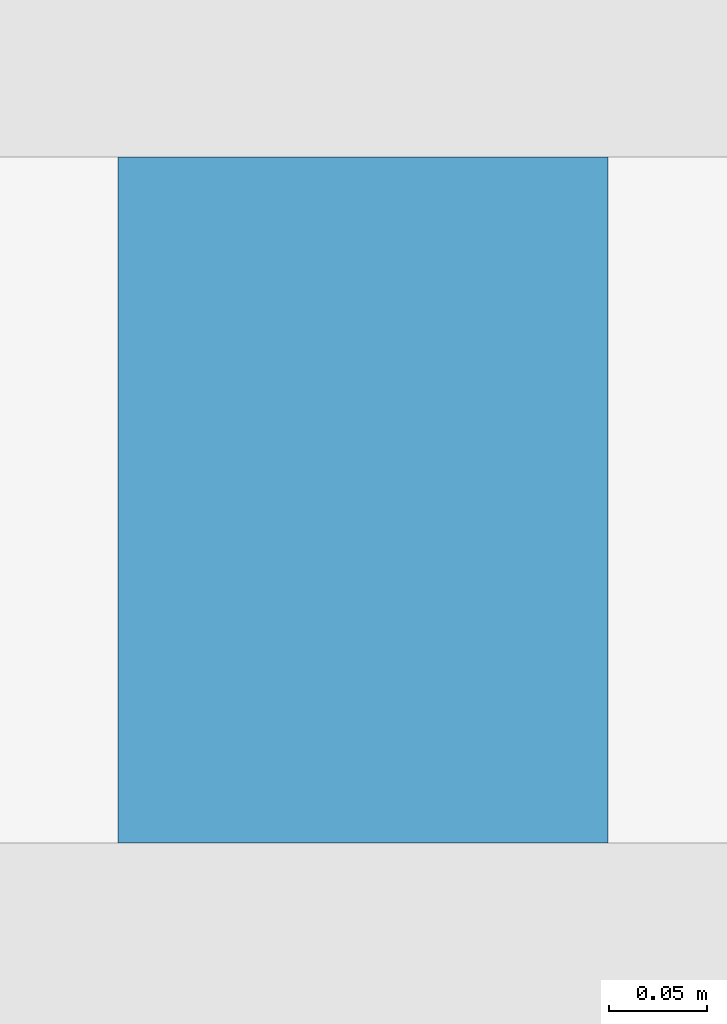
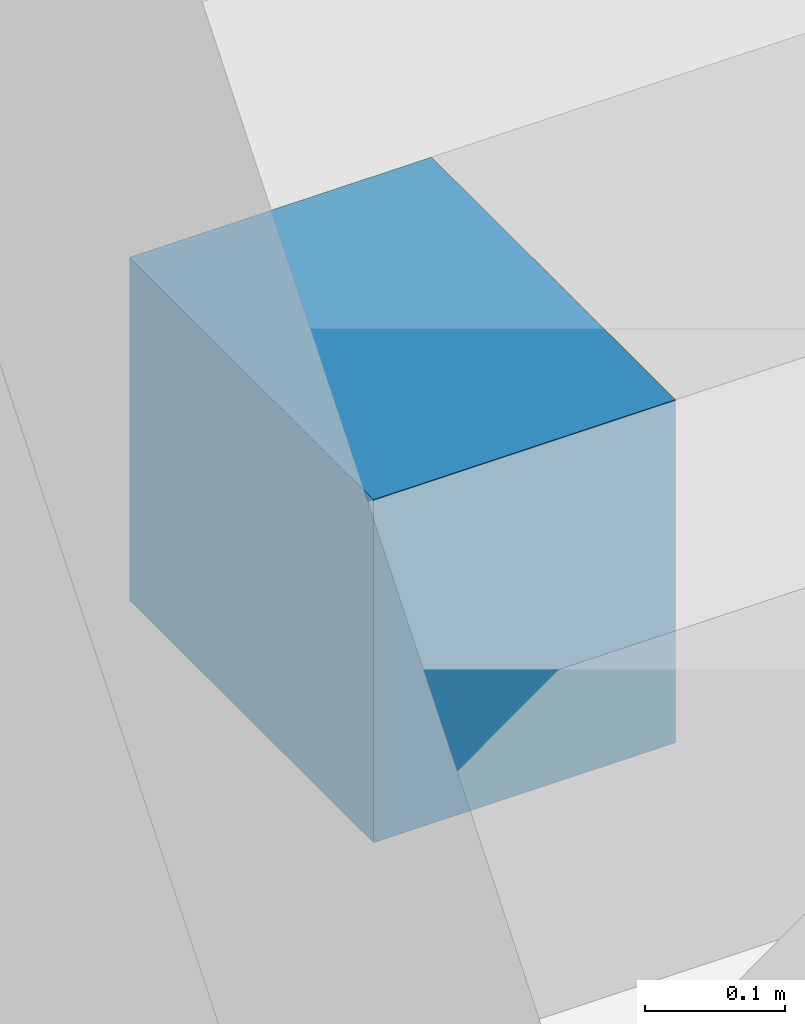
# One storey, part 19 of 48: 1 beam.
"""IFC4 building model written with IfcOpenShell, lengths in metres."""

from ifc_helpers import new_model, si_unit, direction, frame, origin, origin_2d, place, context, subcontext, project, spatial, rectangle, extrude, material, material_profile, profile_set, type_object, element, save


model = new_model("IFC4")

# Units and contexts
model_context = context("Model", 3, precision=1e-05, world=origin(), true_north=direction((0.0, 1.0)))
body_context = subcontext(model_context, "Body", "Model", "MODEL_VIEW")
ifc_project = project(units=[si_unit("LENGTHUNIT", "METRE"), si_unit("AREAUNIT", "SQUARE_METRE"), si_unit("VOLUMEUNIT", "CUBIC_METRE"), si_unit("PLANEANGLEUNIT", "RADIAN"), si_unit("MASSUNIT", "GRAM", prefix="KILO")], contexts=[model_context])

# Site, building, storey
site_placement = place(None, origin())
site = spatial("IfcSite", under=ifc_project, at=site_placement, CompositionType="ELEMENT")
building_placement = place(site_placement, origin())
building = spatial("IfcBuilding", under=site, at=building_placement, Name="Ogive Gate Towers", CompositionType="ELEMENT")
storey_placement = place(building_placement, origin())
storey = spatial("IfcBuildingStorey", under=building, at=storey_placement, Name="L00", CompositionType="ELEMENT", Elevation=0.0)

# Beam
ifc_material = material(Name="Concrete C40/50", Category="concrete")
ifc_material_profile = material_profile(ifc_material, rectangle(XDim=0.25, YDim=0.300048828125, at=origin_2d()), Name="RC 250x300")
ifc_profile_set = profile_set([ifc_material_profile], Name="Concrete C40/50")
beam_type = type_object("IfcBeamType", Name="Landing bearer RC 250x300 (stair)", PredefinedType="BEAM", material=ifc_profile_set)
beam_placement = place(storey_placement, frame((57.199951171875, -16.695068359375, 3.25), z_axis=(0.0, -1.0, 0.0), x_axis=(1.0, 0.0, 0.0)))
element("IfcBeam", 1, at=beam_placement, inside=storey, type_object=beam_type, Name="PS2 L00 landing 1 bearer 3", PredefinedType="BEAM", context=body_context, shape_type="SweptSolid", body=[
    extrude(rectangle(XDim=0.25, YDim=0.300048828125, at=origin_2d()), origin(), (0.0, 0.0, 1.0), 0.349853515625),
])

save(model, "model.ifc")
